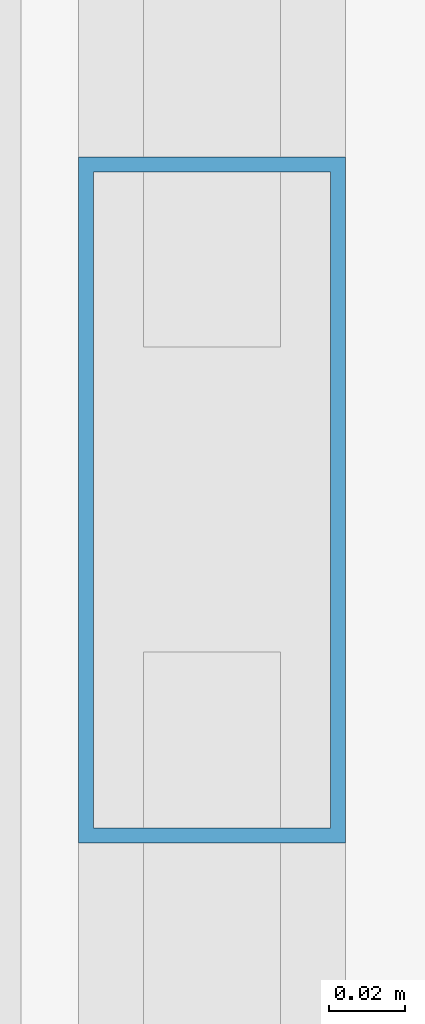
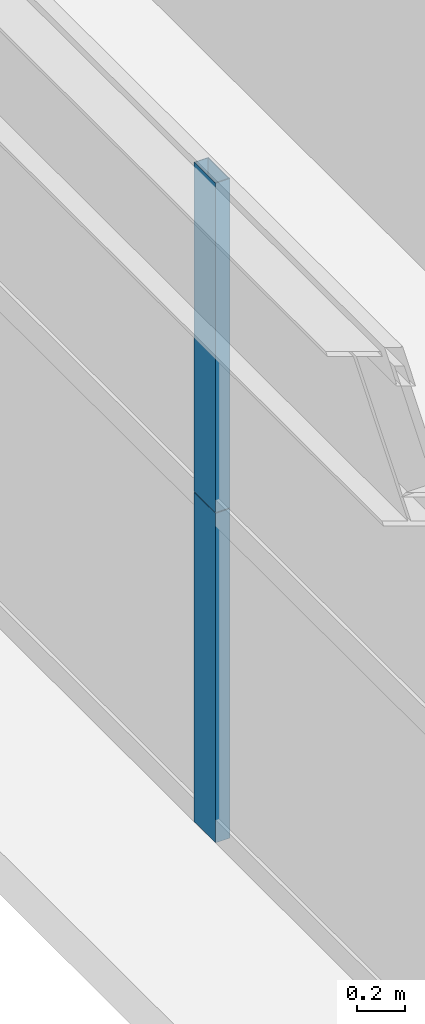
# One storey, part 20 of 38: 2 members, 1 element without a shape of its own.
"""IFC4 building model written with IfcOpenShell, lengths in metres."""

import ifcopenshell
import ifcopenshell.guid

model = None  # the IFC model being written
_history = None  # IfcOwnerHistory: only IFC2X3 demands one
_inside = {}  # id of a spatial element -> (the spatial element, [elements in it])
_under = {}  # id of a project, library or spatial element -> (it, [spatial elements below it])
_declared = {}  # id of a project -> (the project, [libraries it declares])
_typed = {}  # id of a type object -> (the type object, [elements of that type])
_made_of = {}  # id of a material, layer set ... -> (it, [elements and type objects made of it])


def new_model(schema):
    """Start an empty IFC model of exactly this schema.

    Asked for "IFC4X3", IfcOpenShell would pick the latest addendum, in which some entities
    have other attributes; the version numbers below select the first issue.
    IFC2X3 requires an IfcOwnerHistory on every rooted entity: one is made here for all.
    """
    global model, _history
    if schema == "IFC4X3":
        model = ifcopenshell.file(schema_version=(4, 3, 0, 0))
    else:
        model = ifcopenshell.file(schema=schema)
    _inside.clear()
    _under.clear()
    _declared.clear()
    _typed.clear()
    _made_of.clear()
    _history = None
    if model.schema == "IFC2X3":
        org = make("IfcOrganization", Name="unknown")
        user = make(
            "IfcPersonAndOrganization",
            ThePerson=make("IfcPerson", FamilyName="unknown"),
            TheOrganization=org,
        )
        app = make(
            "IfcApplication",
            ApplicationDeveloper=org,
            Version="unknown",
            ApplicationFullName="unknown",
            ApplicationIdentifier="unknown",
        )
        _history = make(
            "IfcOwnerHistory",
            OwningUser=user,
            OwningApplication=app,
            ChangeAction="ADDED",
            CreationDate=0,
        )
    return model


def make(cls, **values):
    """One entity of the class cls with the attributes given. An attribute that is None is left unset."""
    return model.create_entity(
        cls, **{name: value for name, value in values.items() if value is not None}
    )


def rooted(cls, **values):
    """An entity with a GlobalId (a new one), such as an element, a storey or a relation."""
    return make(cls, GlobalId=ifcopenshell.guid.new(), OwnerHistory=_history, **values)


def si_unit(unit_type, name, prefix=None):
    """IfcSIUnit, for example si_unit("LENGTHUNIT", "METRE", prefix="MILLI")."""
    return make("IfcSIUnit", UnitType=unit_type, Prefix=prefix, Name=name)


def assignment(units):
    """IfcUnitAssignment: the units of a project."""
    return None if units is None else make("IfcUnitAssignment", Units=units)


def point(xyz):
    """IfcCartesianPoint."""
    return None if xyz is None else make("IfcCartesianPoint", Coordinates=xyz)


def direction(xyz):
    """IfcDirection."""
    return None if xyz is None else make("IfcDirection", DirectionRatios=xyz)


def frame(location, z_axis=None, x_axis=None):
    """IfcAxis2Placement3D, a coordinate frame: its origin and axes. An axis left out is left unset."""
    return make(
        "IfcAxis2Placement3D",
        Location=point(location),
        Axis=direction(z_axis),
        RefDirection=direction(x_axis),
    )


def frame_2d(location, x_axis=None):
    """IfcAxis2Placement2D, a coordinate frame in the plane: its origin and x axis."""
    return make(
        "IfcAxis2Placement2D", Location=point(location), RefDirection=direction(x_axis)
    )


def origin():
    """The frame at (0, 0, 0) with its axes left unset."""
    return frame((0.0, 0.0, 0.0))


def origin_2d():
    """The frame at (0, 0) in the plane with its x axis left unset."""
    return frame_2d((0.0, 0.0))


def place(relative_to, where):
    """IfcLocalPlacement: puts the frame where relative to a parent placement (None: the world)."""
    return make(
        "IfcLocalPlacement", PlacementRelTo=relative_to, RelativePlacement=where
    )


def context(
    kind, dimensions, precision=None, world=None, true_north=None, identifier=None
):
    """IfcGeometricRepresentationContext, for example the 3D "Model" context."""
    return make(
        "IfcGeometricRepresentationContext",
        ContextIdentifier=identifier,
        ContextType=kind,
        CoordinateSpaceDimension=dimensions,
        Precision=precision,
        WorldCoordinateSystem=world,
        TrueNorth=true_north,
    )


def subcontext(parent, identifier, kind, view, scale=None):
    """IfcGeometricRepresentationSubContext, for example "Body" below "Model"."""
    return make(
        "IfcGeometricRepresentationSubContext",
        ContextIdentifier=identifier,
        ContextType=kind,
        ParentContext=parent,
        TargetScale=scale,
        TargetView=view,
    )


def project(units=None, contexts=None):
    """IfcProject with its units and contexts."""
    return rooted(
        "IfcProject",
        Name="project",
        RepresentationContexts=contexts,
        UnitsInContext=assignment(units),
    )


def spatial(cls, under=None, at=None, **own):
    """A site, building, storey or space (cls), placed at a placement, below another one or the project."""
    s = rooted(cls, ObjectPlacement=at, **own)
    if under is not None:
        _under.setdefault(under.id(), (under, []))[1].append(s)
    return s


def profile(cls, at=None, kind="AREA", **sizes):
    """A parametric profile (cls). Its sizes go by their IFC names, for example OverallWidth=200.0."""
    return make(cls, ProfileType=kind, Position=at, **sizes)


def hollow_rectangle(**sizes):
    """IfcRectangleHollowProfileDef."""
    return profile("IfcRectangleHollowProfileDef", **sizes)


def extrude(swept, where, along, depth):
    """IfcExtrudedAreaSolid: the profile swept, set in the frame where, extruded along a direction by depth."""
    return make(
        "IfcExtrudedAreaSolid",
        SweptArea=swept,
        Position=where,
        ExtrudedDirection=direction(along),
        Depth=depth,
    )


def shape(context_of_items, identifier, shape_type, items):
    """IfcShapeRepresentation: the items that make up one representation, for example the "Body"."""
    return make(
        "IfcShapeRepresentation",
        ContextOfItems=context_of_items,
        RepresentationIdentifier=identifier,
        RepresentationType=shape_type,
        Items=items,
    )


def source(mapping_origin, context_of_items, identifier, shape_type, items):
    """IfcRepresentationMap: a shape defined once, which mapped items show again and again."""
    return make(
        "IfcRepresentationMap",
        MappingOrigin=mapping_origin,
        MappedRepresentation=shape(context_of_items, identifier, shape_type, items),
    )


def transform(
    local_origin,
    x_axis=None,
    y_axis=None,
    z_axis=None,
    scale=None,
    scale2=None,
    scale3=None,
    uniform=True,
):
    """IfcCartesianTransformationOperator3D, or its non-uniform kind. x_axis, y_axis, z_axis: its Axis1, 2, 3."""
    if uniform:
        return make(
            "IfcCartesianTransformationOperator3D",
            Axis1=direction(x_axis),
            Axis2=direction(y_axis),
            LocalOrigin=point(local_origin),
            Scale=scale,
            Axis3=direction(z_axis),
        )
    return make(
        "IfcCartesianTransformationOperator3DnonUniform",
        Axis1=direction(x_axis),
        Axis2=direction(y_axis),
        LocalOrigin=point(local_origin),
        Scale=scale,
        Axis3=direction(z_axis),
        Scale2=scale2,
        Scale3=scale3,
    )


def mapped(mapping_source, mapping_target):
    """IfcMappedItem: shows the shape of a source again, moved by a transform."""
    return make(
        "IfcMappedItem", MappingSource=mapping_source, MappingTarget=mapping_target
    )


def material(Name=None, Category=None):
    """IfcMaterial."""
    return make("IfcMaterial", Name=Name, Category=Category)


def layer(
    of_material, thickness, ventilated=None, Name=None, Category=None, Priority=None
):
    """IfcMaterialLayer: one layer of a wall or slab, of a material (None: an air gap)."""
    return make(
        "IfcMaterialLayer",
        Material=of_material,
        LayerThickness=thickness,
        IsVentilated=ventilated,
        Name=Name,
        Category=Category,
        Priority=Priority,
    )


def layer_set(layers, Name=None):
    """IfcMaterialLayerSet."""
    return make("IfcMaterialLayerSet", MaterialLayers=layers, LayerSetName=Name)


def material_profile(
    of_material, cross_section, Name=None, Category=None, Priority=None
):
    """IfcMaterialProfile: a cross section and its material."""
    return make(
        "IfcMaterialProfile",
        Name=Name,
        Material=of_material,
        Profile=cross_section,
        Priority=Priority,
        Category=Category,
    )


def profile_set(profiles, Name=None, composite=None):
    """IfcMaterialProfileSet."""
    return make(
        "IfcMaterialProfileSet",
        Name=Name,
        MaterialProfiles=profiles,
        CompositeProfile=composite,
    )


def made_of(thing, what):
    """Note that an element or type object is made of a material, layer set ...; save() writes the relation."""
    if what is not None:
        _made_of.setdefault(what.id(), (what, []))[1].append(thing)
    return thing


def type_object(cls, material=None, **own):
    """A type object (cls), such as IfcWallType, which elements share."""
    return made_of(rooted(cls, **own), material)


def element(
    cls,
    number,
    at=None,
    inside=None,
    cuts=None,
    type_object=None,
    material=None,
    context=None,
    identifier="Body",
    shape_type=None,
    held_by="IfcProductDefinitionShape",
    body=None,
    shapes=None,
    **own,
):
    """One element of the class cls, such as IfcWall. Its Tag is "e" and its number.

    at: its placement. inside: the storey or other place that contains it. cuts: it is an
    opening in that element (IfcRelVoidsElement). A single representation is given by context,
    identifier, shape_type and body (its items); several are given by shapes. held_by: the class
    of the entity that holds the representations. save() writes the other relations.
    """
    e = rooted(cls, Tag="e%d" % number, ObjectPlacement=at, **own)
    if body is not None:
        shapes = [shape(context, identifier, shape_type, body)]
    if shapes is not None:
        e.Representation = make(held_by, Representations=shapes)
    if inside is not None:
        _inside.setdefault(inside.id(), (inside, []))[1].append(e)
    if cuts is not None:
        rooted(
            "IfcRelVoidsElement", RelatingBuildingElement=cuts, RelatedOpeningElement=e
        )
    if type_object is not None:
        _typed.setdefault(type_object.id(), (type_object, []))[1].append(e)
    return made_of(e, material)


def aggregate(whole, parts):
    """IfcRelAggregates: a whole, such as a stair, and the parts it consists of."""
    return rooted("IfcRelAggregates", RelatingObject=whole, RelatedObjects=parts)


def save(model, path):
    """Write the relations noted so far, then the file.

    IfcRelAggregates (storeys below a building ...), IfcRelContainedInSpatialStructure (elements
    in a storey), IfcRelDefinesByType, IfcRelAssociatesMaterial and IfcRelDeclares: one each for
    every whole, place, type object, material and project.
    """
    for whole, parts in _under.values():
        aggregate(whole, parts)
    for where, things in _inside.values():
        rooted(
            "IfcRelContainedInSpatialStructure",
            RelatedElements=things,
            RelatingStructure=where,
        )
    for kind, things in _typed.values():
        rooted("IfcRelDefinesByType", RelatedObjects=things, RelatingType=kind)
    for what, things in _made_of.values():
        rooted("IfcRelAssociatesMaterial", RelatedObjects=things, RelatingMaterial=what)
    for by, libraries in _declared.values():
        rooted("IfcRelDeclares", RelatingContext=by, RelatedDefinitions=libraries)
    model.write(path)


model = new_model("IFC4")

# Units and contexts
model_context = context("Model", 3, precision=1e-05, world=origin(), true_north=direction((0.0, 1.0)))
body_context = subcontext(model_context, "Body", "Model", "MODEL_VIEW")
ifc_project = project(units=[si_unit("LENGTHUNIT", "METRE"), si_unit("AREAUNIT", "SQUARE_METRE"), si_unit("VOLUMEUNIT", "CUBIC_METRE"), si_unit("PLANEANGLEUNIT", "RADIAN"), si_unit("MASSUNIT", "GRAM", prefix="KILO"), si_unit("THERMODYNAMICTEMPERATUREUNIT", "KELVIN"), si_unit("POWERUNIT", "WATT")], contexts=[model_context])

# Site, building, storey
site_placement = place(None, origin())
site = spatial("IfcSite", under=ifc_project, at=site_placement, CompositionType="ELEMENT")
building_placement = place(site_placement, origin())
building = spatial("IfcBuilding", under=site, at=building_placement, Name="Yuzanri Waterfront Tower", CompositionType="ELEMENT")
storey_placement = place(building_placement, frame((0.0, 0.0, 97.39990234375)))
storey = spatial("IfcBuildingStorey", under=building, at=storey_placement, Name="L25", CompositionType="ELEMENT", Elevation=97.39990234375)

# Curtain wall, members
ifc_material_1 = material(Name="Anodized Architectural Bronze", Category="metal")
ifc_layer = layer(ifc_material_1, 0.159912109375)
ifc_layer_set = layer_set([ifc_layer], Name="Anodized Architectural Bronze")
curtain_wall_type = type_object("IfcCurtainWallType", Name="Anodized Bronze Hotel Upper-Tier Solar-Control Unitized Curtain Wall 7800", PredefinedType="NOTDEFINED", material=ifc_layer_set)
curtain_wall_placement = place(storey_placement, origin())
curtain_wall = element("IfcCurtainWall", 1, at=curtain_wall_placement, inside=storey, type_object=curtain_wall_type, Name="L25 Curtain Wall CW-L25-WR", PredefinedType="NOTDEFINED")
ifc_material_2 = material(Name="Anodized Architectural Bronze", Category="metal")
ifc_material_profile = material_profile(ifc_material_2, hollow_rectangle(XDim=0.070068359375, YDim=0.179931640625, WallThickness=0.00390625, at=origin_2d()), Name="CWM 70x180")
ifc_profile_set = profile_set([ifc_material_profile], Name="Anodized Architectural Bronze")
member_type = type_object("IfcMemberType", Name="Anodized Bronze Standard Curtain-Wall Mullion 70x180", PredefinedType="MULLION", material=ifc_profile_set)
shared_shape = source(origin(), body_context, "Body", "SweptSolid", [
    extrude(hollow_rectangle(XDim=0.070068359375, YDim=0.179931640625, WallThickness=0.00390625, at=origin_2d()), origin(), (0.0, 0.0, 1.0), 1.68798828125),
])
member_1_placement = place(storey_placement, frame((13.550048828125, 34.14990234375, 0.0), z_axis=(0.0, 0.0, 1.0), x_axis=(1.0, 0.0, 0.0)))
member_1 = element("IfcMember", 2, at=member_1_placement, type_object=member_type, Name="CW-L25-WR Lower Mullion 01", PredefinedType="MULLION", context=body_context, shape_type="MappedRepresentation", body=[
    mapped(shared_shape, transform((0.0, 0.0, 0.0), scale=1.0)),
])
member_2_placement = place(storey_placement, frame((13.550048828125, 34.14990234375, 1.692138671875), z_axis=(0.0, 0.0, 1.0), x_axis=(1.0, 0.0, 0.0)))
member_2 = element("IfcMember", 3, at=member_2_placement, type_object=member_type, Name="CW-L25-WR Upper Mullion 01", PredefinedType="MULLION", context=body_context, shape_type="MappedRepresentation", body=[
    mapped(shared_shape, transform((0.0, 0.0, 0.0), scale=1.0)),
])
aggregate(curtain_wall, [member_1, member_2])

save(model, "model.ifc")
